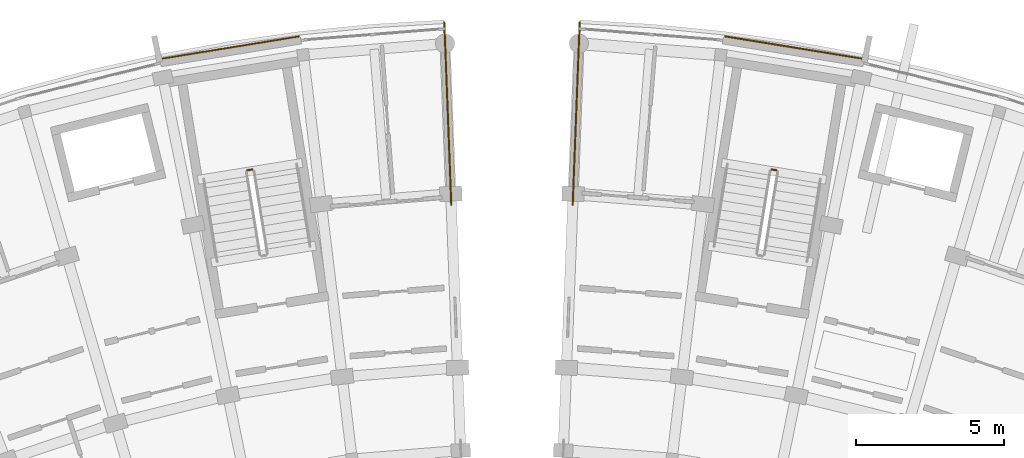
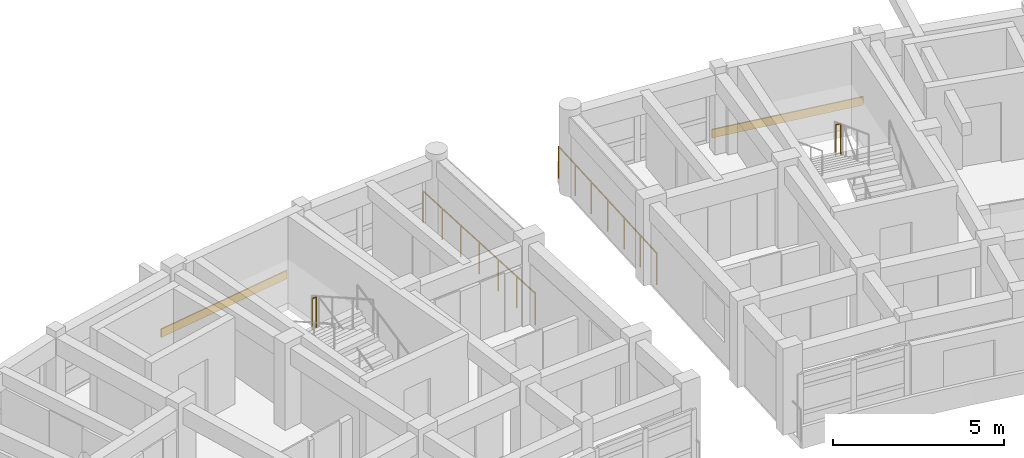
# One storey, part 46 of 54: 4 railings, 2 coverings.
"""IFC4 building model written with IfcOpenShell, lengths in metres."""

from ifc_helpers import new_model, si_unit, direction, frame, origin, origin_2d, place, context, subcontext, project, spatial, rectangle, circle, extrude, material, layer, layer_set, type_object, element, save


model = new_model("IFC4")

# Units and contexts
model_context = context("Model", 3, precision=1e-05, world=origin(), true_north=direction((0.0, 1.0)))
body_context = subcontext(model_context, "Body", "Model", "MODEL_VIEW")
ifc_project = project(units=[si_unit("LENGTHUNIT", "METRE"), si_unit("AREAUNIT", "SQUARE_METRE"), si_unit("VOLUMEUNIT", "CUBIC_METRE"), si_unit("PLANEANGLEUNIT", "RADIAN"), si_unit("MASSUNIT", "GRAM", prefix="KILO")], contexts=[model_context])

# Site, building, storey
site_placement = place(None, origin())
site = spatial("IfcSite", under=ifc_project, at=site_placement, CompositionType="ELEMENT")
building_placement = place(site_placement, origin())
building = spatial("IfcBuilding", under=site, at=building_placement, Name="Zimvara Arc Housing Community", CompositionType="ELEMENT")
storey_placement = place(building_placement, frame((0.0, 0.0, 23.60009765625)))
storey = spatial("IfcBuildingStorey", under=building, at=storey_placement, Name="L07", CompositionType="ELEMENT", Elevation=23.60009765625)

# Coverings
ifc_material_1 = material(Name="Pale-Gold Anodised Aluminium Cladding", Category="aluminium")
ifc_layer_1 = layer(ifc_material_1, 0.0400390625)
ifc_layer_set_1 = layer_set([ifc_layer_1], Name="Pale-Gold Anodised Aluminium Cladding")
covering_type_1 = type_object("IfcCoveringType", Name="CLD-GOLD-01", PredefinedType="CLADDING", material=ifc_layer_set_1)
covering_1_placement = place(storey_placement, frame((35.47119140625, 103.20263671875, 0.009765625), z_axis=(0.0, 0.0, 1.0), x_axis=(0.987080395872, 0.160225753504, 0.0)))
element("IfcCovering", 1, at=covering_1_placement, inside=storey, type_object=covering_type_1, Name="cld:blkA:L07:out:b8", PredefinedType="CLADDING", context=body_context, shape_type="SweptSolid", body=[
    extrude(rectangle(XDim=4.748779296875, YDim=0.0400390625, at=origin_2d()), origin(), (0.0, 0.0, 1.0), 0.300048828125),
])
ifc_material_2 = material(Name="Pale-Gold Anodised Aluminium Cladding", Category="aluminium")
ifc_layer_2 = layer(ifc_material_2, 0.044921875)
ifc_layer_set_2 = layer_set([ifc_layer_2], Name="Pale-Gold Anodised Aluminium Cladding")
covering_type_2 = type_object("IfcCoveringType", Name="CLD-GOLD-02", PredefinedType="CLADDING", material=ifc_layer_set_2)
covering_2_placement = place(storey_placement, frame((54.529296875, 103.205078125, 0.009765625), z_axis=(0.0, 0.0, 1.0), x_axis=(0.987080395872, -0.160225753504, 0.0)))
element("IfcCovering", 2, at=covering_2_placement, inside=storey, type_object=covering_type_2, Name="cld:blkB:L07:out:b1", PredefinedType="CLADDING", context=body_context, shape_type="SweptSolid", body=[
    extrude(rectangle(XDim=4.748779296875, YDim=0.044921875, at=origin_2d()), origin(), (0.0, 0.0, 1.0), 0.300048828125),
])

# Railings
ifc_material_3 = material(Name="Anodised Aluminium AW-6063", Category="aluminium")
railing_type_1 = type_object("IfcRailingType", Name="RLG-BAL-1120", PredefinedType="BALUSTRADE", material=ifc_material_3)
railing_1_placement = place(storey_placement, frame((36.220947265625, 99.08349609375, 1.5498046875)))
element("IfcRailing", 3, at=railing_1_placement, inside=storey, type_object=railing_type_1, Name="L07 ST-A2 stair guard 2", PredefinedType="BALUSTRADE", context=body_context, shape_type="SweptSolid", body=[
    extrude(circle(Radius=0.02392578125, at=origin_2d()), frame((0.0, 0.0, 1.09619140625), z_axis=(-0.987085924886, -0.160191687964, 0.0), x_axis=(0.160191687964, -0.987085924886, 0.0)), (0.0, 0.0, 1.0), 0.159912109375),
    extrude(circle(Radius=0.02099609375, at=origin_2d()), origin(), (0.0, 0.0, 1.0), 1.072021484375),
    extrude(circle(Radius=0.02099609375, at=origin_2d()), frame((-0.157958984375, -0.025634765625, 0.0)), (0.0, 0.0, 1.0), 1.072021484375),
])
railing_2_placement = place(storey_placement, frame((53.93701171875, 99.057861328125, 1.5498046875)))
element("IfcRailing", 4, at=railing_2_placement, inside=storey, type_object=railing_type_1, Name="L07 ST-B1 stair guard 2", PredefinedType="BALUSTRADE", context=body_context, shape_type="SweptSolid", body=[
    extrude(circle(Radius=0.02392578125, at=origin_2d()), frame((0.0, 0.0, 1.09619140625), z_axis=(-0.987085924886, 0.160191687964, 0.0), x_axis=(-0.160191687964, -0.987085924886, 0.0)), (0.0, 0.0, 1.0), 0.159912109375),
    extrude(circle(Radius=0.02099609375, at=origin_2d()), origin(), (0.0, 0.0, 1.0), 1.072021484375),
    extrude(circle(Radius=0.02099609375, at=origin_2d()), frame((-0.157958984375, 0.025634765625, 0.0)), (0.0, 0.0, 1.0), 1.072021484375),
])
ifc_material_4 = material(Name="Anodised Aluminium AW-6063", Category="aluminium")
railing_type_2 = type_object("IfcRailingType", Name="RLG-BAL-1150", PredefinedType="BALUSTRADE", material=ifc_material_4)
railing_3_placement = place(storey_placement, frame((42.948486328125, 97.900634765625, 0.0)))
element("IfcRailing", 5, at=railing_3_placement, inside=storey, type_object=railing_type_2, Name="rlg:blkA:L07:gable_out:gN", PredefinedType="BALUSTRADE", context=body_context, shape_type="SweptSolid", body=[
    extrude(circle(Radius=0.02392578125, at=origin_2d()), frame((0.0, 0.0, 1.1259765625), z_axis=(-0.038364627964, 0.99926380667, 0.0), x_axis=(-0.99926380667, -0.038364627964, 0.0)), (0.0, 0.0, 1.0), 6.16015625),
    extrude(circle(Radius=0.02099609375, at=origin_2d()), origin(), (0.0, 0.0, 1.0), 1.101806640625),
    extrude(circle(Radius=0.02099609375, at=origin_2d()), frame((-0.039306640625, 1.02587890625, 0.0)), (0.0, 0.0, 1.0), 1.101806640625),
    extrude(circle(Radius=0.02099609375, at=origin_2d()), frame((-0.078857421875, 2.0517578125, 0.0)), (0.0, 0.0, 1.0), 1.101806640625),
    extrude(circle(Radius=0.02099609375, at=origin_2d()), frame((-0.1181640625, 3.07763671875, 0.0)), (0.0, 0.0, 1.0), 1.101806640625),
    extrude(circle(Radius=0.02099609375, at=origin_2d()), frame((-0.157470703125, 4.103759765625, 0.0)), (0.0, 0.0, 1.0), 1.101806640625),
    extrude(circle(Radius=0.02099609375, at=origin_2d()), frame((-0.197021484375, 5.129638671875, 0.0)), (0.0, 0.0, 1.0), 1.101806640625),
    extrude(circle(Radius=0.02099609375, at=origin_2d()), frame((-0.236328125, 6.155517578125, 0.0)), (0.0, 0.0, 1.0), 1.101806640625),
])
railing_4_placement = place(storey_placement, frame((47.051513671875, 97.900634765625, 0.0)))
element("IfcRailing", 6, at=railing_4_placement, inside=storey, type_object=railing_type_2, Name="rlg:blkB:L07:gable_out:g0", PredefinedType="BALUSTRADE", context=body_context, shape_type="SweptSolid", body=[
    extrude(circle(Radius=0.02392578125, at=origin_2d()), frame((0.0, 0.0, 1.1259765625), z_axis=(0.038364627964, 0.99926380667, 0.0), x_axis=(-0.99926380667, 0.038364627964, 0.0)), (0.0, 0.0, 1.0), 6.16015625),
    extrude(circle(Radius=0.02099609375, at=origin_2d()), origin(), (0.0, 0.0, 1.0), 1.101806640625),
    extrude(circle(Radius=0.02099609375, at=origin_2d()), frame((0.039306640625, 1.02587890625, 0.0)), (0.0, 0.0, 1.0), 1.101806640625),
    extrude(circle(Radius=0.02099609375, at=origin_2d()), frame((0.078857421875, 2.0517578125, 0.0)), (0.0, 0.0, 1.0), 1.101806640625),
    extrude(circle(Radius=0.02099609375, at=origin_2d()), frame((0.1181640625, 3.07763671875, 0.0)), (0.0, 0.0, 1.0), 1.101806640625),
    extrude(circle(Radius=0.02099609375, at=origin_2d()), frame((0.157470703125, 4.103759765625, 0.0)), (0.0, 0.0, 1.0), 1.101806640625),
    extrude(circle(Radius=0.02099609375, at=origin_2d()), frame((0.197021484375, 5.129638671875, 0.0)), (0.0, 0.0, 1.0), 1.101806640625),
    extrude(circle(Radius=0.02099609375, at=origin_2d()), frame((0.236328125, 6.155517578125, 0.0)), (0.0, 0.0, 1.0), 1.101806640625),
])

save(model, "model.ifc")
